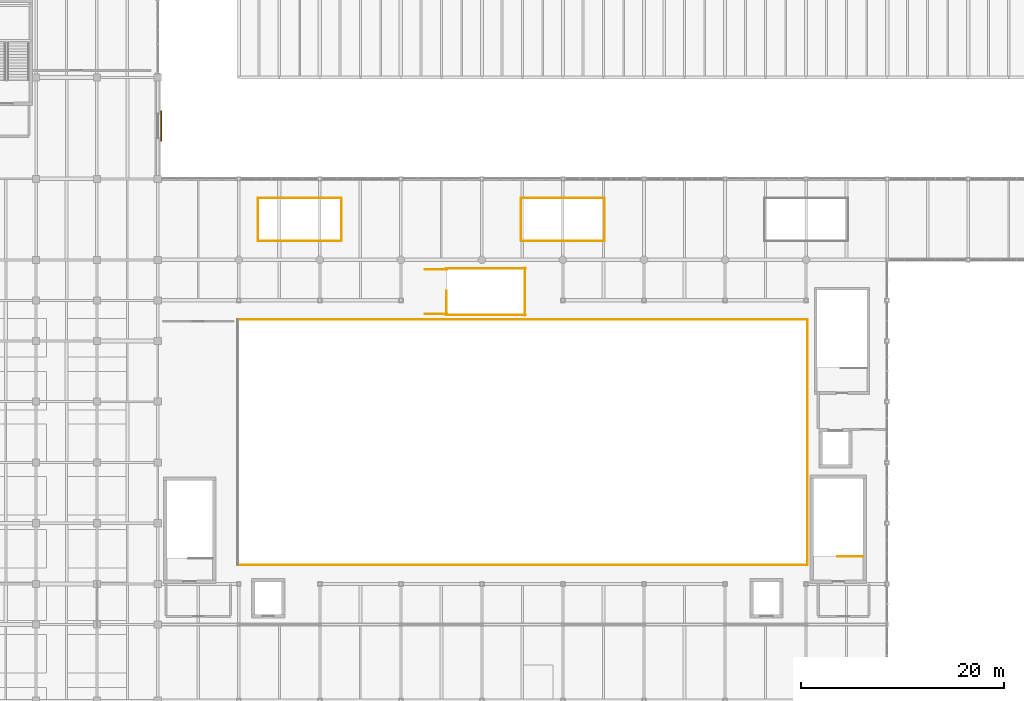
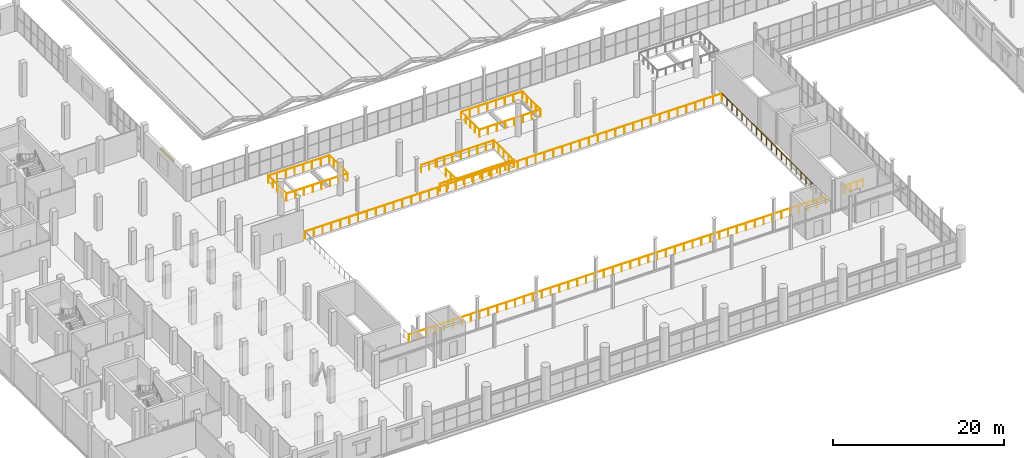
# One storey, part 108 of 114: 18 railings, 1 shading device.
"""IFC4 building model written with IfcOpenShell, lengths in metres."""

from ifc_helpers import new_model, si_unit, direction, frame, origin, origin_2d, place, context, subcontext, project, spatial, rectangle, circle, extrude, material, type_object, element, save


model = new_model("IFC4")

# Units and contexts
model_context = context("Model", 3, precision=1e-05, world=origin(), true_north=direction((0.0, 1.0)))
body_context = subcontext(model_context, "Body", "Model", "MODEL_VIEW")
ifc_project = project(units=[si_unit("LENGTHUNIT", "METRE"), si_unit("AREAUNIT", "SQUARE_METRE"), si_unit("VOLUMEUNIT", "CUBIC_METRE"), si_unit("PLANEANGLEUNIT", "RADIAN"), si_unit("MASSUNIT", "GRAM", prefix="KILO")], contexts=[model_context])

# Site, building, storey
site_placement = place(None, origin())
site = spatial("IfcSite", under=ifc_project, at=site_placement, CompositionType="ELEMENT")
building_placement = place(site_placement, origin())
building = spatial("IfcBuilding", under=site, at=building_placement, Name="Verrall Gate Interchange", CompositionType="ELEMENT")
storey_placement = place(building_placement, frame((0.0, 0.0, 6.60009765625)))
storey = spatial("IfcBuildingStorey", under=building, at=storey_placement, Name="L02", CompositionType="ELEMENT", Elevation=6.60009765625)

# Railings
ifc_material_1 = material(Name="Brushed Stainless-Steel Guardrail and Handrail System", Category="steel")
railing_type = type_object("IfcRailingType", Name="GR-02 Interior Atrium and Stair Guardrail 1100", PredefinedType="GUARDRAIL", material=ifc_material_1)
railing_1_placement = place(storey_placement, frame((105.639892578125, 18.699951171875, 0.0)))
element("IfcRailing", 1, at=railing_1_placement, inside=storey, type_object=railing_type, Name="L02 ST-06 top well guard 1", PredefinedType="GUARDRAIL", context=body_context, shape_type="SweptSolid", body=[
    extrude(circle(Radius=0.02392578125, at=origin_2d()), frame((0.0, 0.0, 1.076171875), z_axis=(-1.0, 0.0, 0.0), x_axis=(0.0, -1.0, 0.0)), (0.0, 0.0, 1.0), 2.5498046875),
    extrude(circle(Radius=0.02099609375, at=origin_2d()), origin(), (0.0, 0.0, 1.0), 1.052001953125),
    extrude(circle(Radius=0.02099609375, at=origin_2d()), frame((-0.849853515625, 0.0, 0.0)), (0.0, 0.0, 1.0), 1.052001953125),
    extrude(circle(Radius=0.02099609375, at=origin_2d()), frame((-1.699951171875, 0.0, 0.0)), (0.0, 0.0, 1.0), 1.052001953125),
    extrude(circle(Radius=0.02099609375, at=origin_2d()), frame((-2.5498046875, 0.0, 0.0)), (0.0, 0.0, 1.0), 1.052001953125),
])
railing_2_placement = place(storey_placement, frame((64.5, 42.60009765625, 0.0)))
element("IfcRailing", 2, at=railing_2_placement, inside=storey, type_object=railing_type, Name="L02 ST-12 top well guard 1", PredefinedType="GUARDRAIL", context=body_context, shape_type="SweptSolid", body=[
    extrude(circle(Radius=0.02392578125, at=origin_2d()), frame((0.0, 0.0, 1.076171875), z_axis=(0.0, 1.0, 0.0), x_axis=(-1.0, 0.0, 0.0)), (0.0, 0.0, 1.0), 2.349853515625),
    extrude(circle(Radius=0.02099609375, at=origin_2d()), origin(), (0.0, 0.0, 1.0), 1.052001953125),
    extrude(circle(Radius=0.02099609375, at=origin_2d()), frame((0.0, 1.1748046875, 0.0)), (0.0, 0.0, 1.0), 1.052001953125),
    extrude(circle(Radius=0.02099609375, at=origin_2d()), frame((0.0, 2.349853515625, 0.0)), (0.0, 0.0, 1.0), 1.052001953125),
])
for number, where, name in (
    (3, (64.449951171875, 42.550048828125, 0.0), "L02 ST-12 top well guard 2"),
    (4, (64.449951171875, 47.14990234375, 0.0), "L02 ST-12 top well guard 3"),
):
    element("IfcRailing", number, at=place(storey_placement, frame(where)), inside=storey, type_object=railing_type, Name=name, PredefinedType="GUARDRAIL", context=body_context, shape_type="SweptSolid", body=[
        extrude(circle(Radius=0.02392578125, at=origin_2d()), frame((0.0, 0.0, 1.076171875), z_axis=(1.0, 0.0, 0.0), x_axis=(0.0, 1.0, 0.0)), (0.0, 0.0, 1.0), 7.85009765625),
        extrude(circle(Radius=0.02099609375, at=origin_2d()), origin(), (0.0, 0.0, 1.0), 1.052001953125),
        extrude(circle(Radius=0.02099609375, at=origin_2d()), frame((1.121337890625, 0.0, 0.0)), (0.0, 0.0, 1.0), 1.052001953125),
        extrude(circle(Radius=0.02099609375, at=origin_2d()), frame((2.242919921875, 0.0, 0.0)), (0.0, 0.0, 1.0), 1.052001953125),
        extrude(circle(Radius=0.02099609375, at=origin_2d()), frame((3.3642578125, 0.0, 0.0)), (0.0, 0.0, 1.0), 1.052001953125),
        extrude(circle(Radius=0.02099609375, at=origin_2d()), frame((4.48583984375, 0.0, 0.0)), (0.0, 0.0, 1.0), 1.052001953125),
        extrude(circle(Radius=0.02099609375, at=origin_2d()), frame((5.607177734375, 0.0, 0.0)), (0.0, 0.0, 1.0), 1.052001953125),
        extrude(circle(Radius=0.02099609375, at=origin_2d()), frame((6.728759765625, 0.0, 0.0)), (0.0, 0.0, 1.0), 1.052001953125),
        extrude(circle(Radius=0.02099609375, at=origin_2d()), frame((7.85009765625, 0.0, 0.0)), (0.0, 0.0, 1.0), 1.052001953125),
    ])
railing_3_placement = place(storey_placement, frame((72.25, 42.5, 0.0)))
element("IfcRailing", 5, at=railing_3_placement, inside=storey, type_object=railing_type, Name="L02 ST-12 top well guard 4", PredefinedType="GUARDRAIL", context=body_context, shape_type="SweptSolid", body=[
    extrude(circle(Radius=0.02392578125, at=origin_2d()), frame((0.0, 0.0, 1.076171875), z_axis=(0.0, 1.0, 0.0), x_axis=(-1.0, 0.0, 0.0)), (0.0, 0.0, 1.0), 4.699951171875),
    extrude(circle(Radius=0.02099609375, at=origin_2d()), origin(), (0.0, 0.0, 1.0), 1.052001953125),
    extrude(circle(Radius=0.02099609375, at=origin_2d()), frame((0.0, 1.175048828125, 0.0)), (0.0, 0.0, 1.0), 1.052001953125),
    extrude(circle(Radius=0.02099609375, at=origin_2d()), frame((0.0, 2.35009765625, 0.0)), (0.0, 0.0, 1.0), 1.052001953125),
    extrude(circle(Radius=0.02099609375, at=origin_2d()), frame((0.0, 3.52490234375, 0.0)), (0.0, 0.0, 1.0), 1.052001953125),
    extrude(circle(Radius=0.02099609375, at=origin_2d()), frame((0.0, 4.699951171875, 0.0)), (0.0, 0.0, 1.0), 1.052001953125),
])
for number, where, name in (
    (6, (62.39990234375, 42.64990234375, 0.0), "L02 ST-12 top well guard 5"),
    (7, (62.39990234375, 47.050048828125, 0.0), "L02 ST-12 top well guard 6"),
):
    element("IfcRailing", number, at=place(storey_placement, frame(where)), inside=storey, type_object=railing_type, Name=name, PredefinedType="GUARDRAIL", context=body_context, shape_type="SweptSolid", body=[
        extrude(circle(Radius=0.02392578125, at=origin_2d()), frame((0.0, 0.0, 1.076171875), z_axis=(1.0, 0.0, 0.0), x_axis=(0.0, 1.0, 0.0)), (0.0, 0.0, 1.0), 2.150146484375),
        extrude(circle(Radius=0.02099609375, at=origin_2d()), origin(), (0.0, 0.0, 1.0), 1.052001953125),
        extrude(circle(Radius=0.02099609375, at=origin_2d()), frame((1.0751953125, 0.0, 0.0)), (0.0, 0.0, 1.0), 1.052001953125),
        extrude(circle(Radius=0.02099609375, at=origin_2d()), frame((2.150146484375, 0.0, 0.0)), (0.0, 0.0, 1.0), 1.052001953125),
    ])
railing_4_placement = place(storey_placement, frame((43.8798828125, 17.8798828125, 0.0)))
element("IfcRailing", 8, at=railing_4_placement, inside=storey, type_object=railing_type, Name="L02 V1-VOID Perimeter Guardrail 01", PredefinedType="GUARDRAIL", context=body_context, shape_type="SweptSolid", body=[
    extrude(circle(Radius=0.02392578125, at=origin_2d()), frame((0.0, 0.0, 1.076171875), z_axis=(1.0, 0.0, 0.0), x_axis=(0.0, 1.0, 0.0)), (0.0, 0.0, 1.0), 56.240234375),
    extrude(circle(Radius=0.02099609375, at=origin_2d()), origin(), (0.0, 0.0, 1.0), 1.052001953125),
    extrude(circle(Radius=0.02099609375, at=origin_2d()), frame((1.196533203125, 0.0, 0.0)), (0.0, 0.0, 1.0), 1.052001953125),
    extrude(circle(Radius=0.02099609375, at=origin_2d()), frame((2.393310546875, 0.0, 0.0)), (0.0, 0.0, 1.0), 1.052001953125),
    extrude(circle(Radius=0.02099609375, at=origin_2d()), frame((3.58984375, 0.0, 0.0)), (0.0, 0.0, 1.0), 1.052001953125),
    extrude(circle(Radius=0.02099609375, at=origin_2d()), frame((4.786376953125, 0.0, 0.0)), (0.0, 0.0, 1.0), 1.052001953125),
    extrude(circle(Radius=0.02099609375, at=origin_2d()), frame((5.98291015625, 0.0, 0.0)), (0.0, 0.0, 1.0), 1.052001953125),
    extrude(circle(Radius=0.02099609375, at=origin_2d()), frame((7.1796875, 0.0, 0.0)), (0.0, 0.0, 1.0), 1.052001953125),
    extrude(circle(Radius=0.02099609375, at=origin_2d()), frame((8.376220703125, 0.0, 0.0)), (0.0, 0.0, 1.0), 1.052001953125),
    extrude(circle(Radius=0.02099609375, at=origin_2d()), frame((9.57275390625, 0.0, 0.0)), (0.0, 0.0, 1.0), 1.052001953125),
    extrude(circle(Radius=0.02099609375, at=origin_2d()), frame((10.769287109375, 0.0, 0.0)), (0.0, 0.0, 1.0), 1.052001953125),
    extrude(circle(Radius=0.02099609375, at=origin_2d()), frame((11.966064453125, 0.0, 0.0)), (0.0, 0.0, 1.0), 1.052001953125),
    extrude(circle(Radius=0.02099609375, at=origin_2d()), frame((13.16259765625, 0.0, 0.0)), (0.0, 0.0, 1.0), 1.052001953125),
    extrude(circle(Radius=0.02099609375, at=origin_2d()), frame((14.359130859375, 0.0, 0.0)), (0.0, 0.0, 1.0), 1.052001953125),
    extrude(circle(Radius=0.02099609375, at=origin_2d()), frame((15.555908203125, 0.0, 0.0)), (0.0, 0.0, 1.0), 1.052001953125),
    extrude(circle(Radius=0.02099609375, at=origin_2d()), frame((16.75244140625, 0.0, 0.0)), (0.0, 0.0, 1.0), 1.052001953125),
    extrude(circle(Radius=0.02099609375, at=origin_2d()), frame((17.948974609375, 0.0, 0.0)), (0.0, 0.0, 1.0), 1.052001953125),
    extrude(circle(Radius=0.02099609375, at=origin_2d()), frame((19.1455078125, 0.0, 0.0)), (0.0, 0.0, 1.0), 1.052001953125),
    extrude(circle(Radius=0.02099609375, at=origin_2d()), frame((20.34228515625, 0.0, 0.0)), (0.0, 0.0, 1.0), 1.052001953125),
    extrude(circle(Radius=0.02099609375, at=origin_2d()), frame((21.538818359375, 0.0, 0.0)), (0.0, 0.0, 1.0), 1.052001953125),
    extrude(circle(Radius=0.02099609375, at=origin_2d()), frame((22.7353515625, 0.0, 0.0)), (0.0, 0.0, 1.0), 1.052001953125),
    extrude(circle(Radius=0.02099609375, at=origin_2d()), frame((23.93212890625, 0.0, 0.0)), (0.0, 0.0, 1.0), 1.052001953125),
    extrude(circle(Radius=0.02099609375, at=origin_2d()), frame((25.128662109375, 0.0, 0.0)), (0.0, 0.0, 1.0), 1.052001953125),
    extrude(circle(Radius=0.02099609375, at=origin_2d()), frame((26.3251953125, 0.0, 0.0)), (0.0, 0.0, 1.0), 1.052001953125),
    extrude(circle(Radius=0.02099609375, at=origin_2d()), frame((27.521728515625, 0.0, 0.0)), (0.0, 0.0, 1.0), 1.052001953125),
    extrude(circle(Radius=0.02099609375, at=origin_2d()), frame((28.718505859375, 0.0, 0.0)), (0.0, 0.0, 1.0), 1.052001953125),
    extrude(circle(Radius=0.02099609375, at=origin_2d()), frame((29.9150390625, 0.0, 0.0)), (0.0, 0.0, 1.0), 1.052001953125),
    extrude(circle(Radius=0.02099609375, at=origin_2d()), frame((31.111572265625, 0.0, 0.0)), (0.0, 0.0, 1.0), 1.052001953125),
    extrude(circle(Radius=0.02099609375, at=origin_2d()), frame((32.30810546875, 0.0, 0.0)), (0.0, 0.0, 1.0), 1.052001953125),
    extrude(circle(Radius=0.02099609375, at=origin_2d()), frame((33.5048828125, 0.0, 0.0)), (0.0, 0.0, 1.0), 1.052001953125),
    extrude(circle(Radius=0.02099609375, at=origin_2d()), frame((34.701416015625, 0.0, 0.0)), (0.0, 0.0, 1.0), 1.052001953125),
    extrude(circle(Radius=0.02099609375, at=origin_2d()), frame((35.89794921875, 0.0, 0.0)), (0.0, 0.0, 1.0), 1.052001953125),
    extrude(circle(Radius=0.02099609375, at=origin_2d()), frame((37.0947265625, 0.0, 0.0)), (0.0, 0.0, 1.0), 1.052001953125),
    extrude(circle(Radius=0.02099609375, at=origin_2d()), frame((38.291259765625, 0.0, 0.0)), (0.0, 0.0, 1.0), 1.052001953125),
    extrude(circle(Radius=0.02099609375, at=origin_2d()), frame((39.48779296875, 0.0, 0.0)), (0.0, 0.0, 1.0), 1.052001953125),
    extrude(circle(Radius=0.02099609375, at=origin_2d()), frame((40.684326171875, 0.0, 0.0)), (0.0, 0.0, 1.0), 1.052001953125),
    extrude(circle(Radius=0.02099609375, at=origin_2d()), frame((41.881103515625, 0.0, 0.0)), (0.0, 0.0, 1.0), 1.052001953125),
    extrude(circle(Radius=0.02099609375, at=origin_2d()), frame((43.07763671875, 0.0, 0.0)), (0.0, 0.0, 1.0), 1.052001953125),
    extrude(circle(Radius=0.02099609375, at=origin_2d()), frame((44.274169921875, 0.0, 0.0)), (0.0, 0.0, 1.0), 1.052001953125),
    extrude(circle(Radius=0.02099609375, at=origin_2d()), frame((45.470947265625, 0.0, 0.0)), (0.0, 0.0, 1.0), 1.052001953125),
    extrude(circle(Radius=0.02099609375, at=origin_2d()), frame((46.66748046875, 0.0, 0.0)), (0.0, 0.0, 1.0), 1.052001953125),
    extrude(circle(Radius=0.02099609375, at=origin_2d()), frame((47.864013671875, 0.0, 0.0)), (0.0, 0.0, 1.0), 1.052001953125),
    extrude(circle(Radius=0.02099609375, at=origin_2d()), frame((49.060546875, 0.0, 0.0)), (0.0, 0.0, 1.0), 1.052001953125),
    extrude(circle(Radius=0.02099609375, at=origin_2d()), frame((50.25732421875, 0.0, 0.0)), (0.0, 0.0, 1.0), 1.052001953125),
    extrude(circle(Radius=0.02099609375, at=origin_2d()), frame((51.453857421875, 0.0, 0.0)), (0.0, 0.0, 1.0), 1.052001953125),
    extrude(circle(Radius=0.02099609375, at=origin_2d()), frame((52.650390625, 0.0, 0.0)), (0.0, 0.0, 1.0), 1.052001953125),
    extrude(circle(Radius=0.02099609375, at=origin_2d()), frame((53.846923828125, 0.0, 0.0)), (0.0, 0.0, 1.0), 1.052001953125),
    extrude(circle(Radius=0.02099609375, at=origin_2d()), frame((55.043701171875, 0.0, 0.0)), (0.0, 0.0, 1.0), 1.052001953125),
    extrude(circle(Radius=0.02099609375, at=origin_2d()), frame((56.240234375, 0.0, 0.0)), (0.0, 0.0, 1.0), 1.052001953125),
])
railing_5_placement = place(storey_placement, frame((100.1201171875, 17.8798828125, 0.0)))
element("IfcRailing", 9, at=railing_5_placement, inside=storey, type_object=railing_type, Name="L02 V1-VOID Perimeter Guardrail 02", PredefinedType="GUARDRAIL", context=body_context, shape_type="SweptSolid", body=[
    extrude(circle(Radius=0.02392578125, at=origin_2d()), frame((0.0, 0.0, 1.076171875), z_axis=(0.0, 1.0, 0.0), x_axis=(-1.0, 0.0, 0.0)), (0.0, 0.0, 1.0), 24.240234375),
    extrude(circle(Radius=0.02099609375, at=origin_2d()), origin(), (0.0, 0.0, 1.0), 1.052001953125),
    extrude(circle(Radius=0.02099609375, at=origin_2d()), frame((0.0, 1.154296875, 0.0)), (0.0, 0.0, 1.0), 1.052001953125),
    extrude(circle(Radius=0.02099609375, at=origin_2d()), frame((0.0, 2.30859375, 0.0)), (0.0, 0.0, 1.0), 1.052001953125),
    extrude(circle(Radius=0.02099609375, at=origin_2d()), frame((0.0, 3.462890625, 0.0)), (0.0, 0.0, 1.0), 1.052001953125),
    extrude(circle(Radius=0.02099609375, at=origin_2d()), frame((0.0, 4.6171875, 0.0)), (0.0, 0.0, 1.0), 1.052001953125),
    extrude(circle(Radius=0.02099609375, at=origin_2d()), frame((0.0, 5.771484375, 0.0)), (0.0, 0.0, 1.0), 1.052001953125),
    extrude(circle(Radius=0.02099609375, at=origin_2d()), frame((0.0, 6.92578125, 0.0)), (0.0, 0.0, 1.0), 1.052001953125),
    extrude(circle(Radius=0.02099609375, at=origin_2d()), frame((0.0, 8.080078125, 0.0)), (0.0, 0.0, 1.0), 1.052001953125),
    extrude(circle(Radius=0.02099609375, at=origin_2d()), frame((0.0, 9.234375, 0.0)), (0.0, 0.0, 1.0), 1.052001953125),
    extrude(circle(Radius=0.02099609375, at=origin_2d()), frame((0.0, 10.388671875, 0.0)), (0.0, 0.0, 1.0), 1.052001953125),
    extrude(circle(Radius=0.02099609375, at=origin_2d()), frame((0.0, 11.54296875, 0.0)), (0.0, 0.0, 1.0), 1.052001953125),
    extrude(circle(Radius=0.02099609375, at=origin_2d()), frame((0.0, 12.697265625, 0.0)), (0.0, 0.0, 1.0), 1.052001953125),
    extrude(circle(Radius=0.02099609375, at=origin_2d()), frame((0.0, 13.8515625, 0.0)), (0.0, 0.0, 1.0), 1.052001953125),
    extrude(circle(Radius=0.02099609375, at=origin_2d()), frame((0.0, 15.005859375, 0.0)), (0.0, 0.0, 1.0), 1.052001953125),
    extrude(circle(Radius=0.02099609375, at=origin_2d()), frame((0.0, 16.16015625, 0.0)), (0.0, 0.0, 1.0), 1.052001953125),
    extrude(circle(Radius=0.02099609375, at=origin_2d()), frame((0.0, 17.314453125, 0.0)), (0.0, 0.0, 1.0), 1.052001953125),
    extrude(circle(Radius=0.02099609375, at=origin_2d()), frame((0.0, 18.46875, 0.0)), (0.0, 0.0, 1.0), 1.052001953125),
    extrude(circle(Radius=0.02099609375, at=origin_2d()), frame((0.0, 19.623046875, 0.0)), (0.0, 0.0, 1.0), 1.052001953125),
    extrude(circle(Radius=0.02099609375, at=origin_2d()), frame((0.0, 20.77734375, 0.0)), (0.0, 0.0, 1.0), 1.052001953125),
    extrude(circle(Radius=0.02099609375, at=origin_2d()), frame((0.0, 21.931640625, 0.0)), (0.0, 0.0, 1.0), 1.052001953125),
    extrude(circle(Radius=0.02099609375, at=origin_2d()), frame((0.0, 23.0859375, 0.0)), (0.0, 0.0, 1.0), 1.052001953125),
    extrude(circle(Radius=0.02099609375, at=origin_2d()), frame((0.0, 24.240234375, 0.0)), (0.0, 0.0, 1.0), 1.052001953125),
])
railing_6_placement = place(storey_placement, frame((100.1201171875, 42.1201171875, 0.0)))
element("IfcRailing", 10, at=railing_6_placement, inside=storey, type_object=railing_type, Name="L02 V1-VOID Perimeter Guardrail 03", PredefinedType="GUARDRAIL", context=body_context, shape_type="SweptSolid", body=[
    extrude(circle(Radius=0.02392578125, at=origin_2d()), frame((0.0, 0.0, 1.076171875), z_axis=(-1.0, 0.0, 0.0), x_axis=(0.0, -1.0, 0.0)), (0.0, 0.0, 1.0), 56.240234375),
    extrude(circle(Radius=0.02099609375, at=origin_2d()), origin(), (0.0, 0.0, 1.0), 1.052001953125),
    extrude(circle(Radius=0.02099609375, at=origin_2d()), frame((-1.196533203125, 0.0, 0.0)), (0.0, 0.0, 1.0), 1.052001953125),
    extrude(circle(Radius=0.02099609375, at=origin_2d()), frame((-2.393310546875, 0.0, 0.0)), (0.0, 0.0, 1.0), 1.052001953125),
    extrude(circle(Radius=0.02099609375, at=origin_2d()), frame((-3.58984375, 0.0, 0.0)), (0.0, 0.0, 1.0), 1.052001953125),
    extrude(circle(Radius=0.02099609375, at=origin_2d()), frame((-4.786376953125, 0.0, 0.0)), (0.0, 0.0, 1.0), 1.052001953125),
    extrude(circle(Radius=0.02099609375, at=origin_2d()), frame((-5.98291015625, 0.0, 0.0)), (0.0, 0.0, 1.0), 1.052001953125),
    extrude(circle(Radius=0.02099609375, at=origin_2d()), frame((-7.1796875, 0.0, 0.0)), (0.0, 0.0, 1.0), 1.052001953125),
    extrude(circle(Radius=0.02099609375, at=origin_2d()), frame((-8.376220703125, 0.0, 0.0)), (0.0, 0.0, 1.0), 1.052001953125),
    extrude(circle(Radius=0.02099609375, at=origin_2d()), frame((-9.57275390625, 0.0, 0.0)), (0.0, 0.0, 1.0), 1.052001953125),
    extrude(circle(Radius=0.02099609375, at=origin_2d()), frame((-10.769287109375, 0.0, 0.0)), (0.0, 0.0, 1.0), 1.052001953125),
    extrude(circle(Radius=0.02099609375, at=origin_2d()), frame((-11.966064453125, 0.0, 0.0)), (0.0, 0.0, 1.0), 1.052001953125),
    extrude(circle(Radius=0.02099609375, at=origin_2d()), frame((-13.16259765625, 0.0, 0.0)), (0.0, 0.0, 1.0), 1.052001953125),
    extrude(circle(Radius=0.02099609375, at=origin_2d()), frame((-14.359130859375, 0.0, 0.0)), (0.0, 0.0, 1.0), 1.052001953125),
    extrude(circle(Radius=0.02099609375, at=origin_2d()), frame((-15.555908203125, 0.0, 0.0)), (0.0, 0.0, 1.0), 1.052001953125),
    extrude(circle(Radius=0.02099609375, at=origin_2d()), frame((-16.75244140625, 0.0, 0.0)), (0.0, 0.0, 1.0), 1.052001953125),
    extrude(circle(Radius=0.02099609375, at=origin_2d()), frame((-17.948974609375, 0.0, 0.0)), (0.0, 0.0, 1.0), 1.052001953125),
    extrude(circle(Radius=0.02099609375, at=origin_2d()), frame((-19.1455078125, 0.0, 0.0)), (0.0, 0.0, 1.0), 1.052001953125),
    extrude(circle(Radius=0.02099609375, at=origin_2d()), frame((-20.34228515625, 0.0, 0.0)), (0.0, 0.0, 1.0), 1.052001953125),
    extrude(circle(Radius=0.02099609375, at=origin_2d()), frame((-21.538818359375, 0.0, 0.0)), (0.0, 0.0, 1.0), 1.052001953125),
    extrude(circle(Radius=0.02099609375, at=origin_2d()), frame((-22.7353515625, 0.0, 0.0)), (0.0, 0.0, 1.0), 1.052001953125),
    extrude(circle(Radius=0.02099609375, at=origin_2d()), frame((-23.93212890625, 0.0, 0.0)), (0.0, 0.0, 1.0), 1.052001953125),
    extrude(circle(Radius=0.02099609375, at=origin_2d()), frame((-25.128662109375, 0.0, 0.0)), (0.0, 0.0, 1.0), 1.052001953125),
    extrude(circle(Radius=0.02099609375, at=origin_2d()), frame((-26.3251953125, 0.0, 0.0)), (0.0, 0.0, 1.0), 1.052001953125),
    extrude(circle(Radius=0.02099609375, at=origin_2d()), frame((-27.521728515625, 0.0, 0.0)), (0.0, 0.0, 1.0), 1.052001953125),
    extrude(circle(Radius=0.02099609375, at=origin_2d()), frame((-28.718505859375, 0.0, 0.0)), (0.0, 0.0, 1.0), 1.052001953125),
    extrude(circle(Radius=0.02099609375, at=origin_2d()), frame((-29.9150390625, 0.0, 0.0)), (0.0, 0.0, 1.0), 1.052001953125),
    extrude(circle(Radius=0.02099609375, at=origin_2d()), frame((-31.111572265625, 0.0, 0.0)), (0.0, 0.0, 1.0), 1.052001953125),
    extrude(circle(Radius=0.02099609375, at=origin_2d()), frame((-32.30810546875, 0.0, 0.0)), (0.0, 0.0, 1.0), 1.052001953125),
    extrude(circle(Radius=0.02099609375, at=origin_2d()), frame((-33.5048828125, 0.0, 0.0)), (0.0, 0.0, 1.0), 1.052001953125),
    extrude(circle(Radius=0.02099609375, at=origin_2d()), frame((-34.701416015625, 0.0, 0.0)), (0.0, 0.0, 1.0), 1.052001953125),
    extrude(circle(Radius=0.02099609375, at=origin_2d()), frame((-35.89794921875, 0.0, 0.0)), (0.0, 0.0, 1.0), 1.052001953125),
    extrude(circle(Radius=0.02099609375, at=origin_2d()), frame((-37.0947265625, 0.0, 0.0)), (0.0, 0.0, 1.0), 1.052001953125),
    extrude(circle(Radius=0.02099609375, at=origin_2d()), frame((-38.291259765625, 0.0, 0.0)), (0.0, 0.0, 1.0), 1.052001953125),
    extrude(circle(Radius=0.02099609375, at=origin_2d()), frame((-39.48779296875, 0.0, 0.0)), (0.0, 0.0, 1.0), 1.052001953125),
    extrude(circle(Radius=0.02099609375, at=origin_2d()), frame((-40.684326171875, 0.0, 0.0)), (0.0, 0.0, 1.0), 1.052001953125),
    extrude(circle(Radius=0.02099609375, at=origin_2d()), frame((-41.881103515625, 0.0, 0.0)), (0.0, 0.0, 1.0), 1.052001953125),
    extrude(circle(Radius=0.02099609375, at=origin_2d()), frame((-43.07763671875, 0.0, 0.0)), (0.0, 0.0, 1.0), 1.052001953125),
    extrude(circle(Radius=0.02099609375, at=origin_2d()), frame((-44.274169921875, 0.0, 0.0)), (0.0, 0.0, 1.0), 1.052001953125),
    extrude(circle(Radius=0.02099609375, at=origin_2d()), frame((-45.470947265625, 0.0, 0.0)), (0.0, 0.0, 1.0), 1.052001953125),
    extrude(circle(Radius=0.02099609375, at=origin_2d()), frame((-46.66748046875, 0.0, 0.0)), (0.0, 0.0, 1.0), 1.052001953125),
    extrude(circle(Radius=0.02099609375, at=origin_2d()), frame((-47.864013671875, 0.0, 0.0)), (0.0, 0.0, 1.0), 1.052001953125),
    extrude(circle(Radius=0.02099609375, at=origin_2d()), frame((-49.060546875, 0.0, 0.0)), (0.0, 0.0, 1.0), 1.052001953125),
    extrude(circle(Radius=0.02099609375, at=origin_2d()), frame((-50.25732421875, 0.0, 0.0)), (0.0, 0.0, 1.0), 1.052001953125),
    extrude(circle(Radius=0.02099609375, at=origin_2d()), frame((-51.453857421875, 0.0, 0.0)), (0.0, 0.0, 1.0), 1.052001953125),
    extrude(circle(Radius=0.02099609375, at=origin_2d()), frame((-52.650390625, 0.0, 0.0)), (0.0, 0.0, 1.0), 1.052001953125),
    extrude(circle(Radius=0.02099609375, at=origin_2d()), frame((-53.846923828125, 0.0, 0.0)), (0.0, 0.0, 1.0), 1.052001953125),
    extrude(circle(Radius=0.02099609375, at=origin_2d()), frame((-55.043701171875, 0.0, 0.0)), (0.0, 0.0, 1.0), 1.052001953125),
    extrude(circle(Radius=0.02099609375, at=origin_2d()), frame((-56.240234375, 0.0, 0.0)), (0.0, 0.0, 1.0), 1.052001953125),
])
railing_7_placement = place(storey_placement, frame((45.8798828125, 49.8798828125, 0.0)))
element("IfcRailing", 11, at=railing_7_placement, inside=storey, type_object=railing_type, Name="L02 ATRIUM-1 Perimeter Guardrail 05", PredefinedType="GUARDRAIL", context=body_context, shape_type="SweptSolid", body=[
    extrude(circle(Radius=0.02392578125, at=origin_2d()), frame((0.0, 0.0, 1.076171875), z_axis=(1.0, 0.0, 0.0), x_axis=(0.0, 1.0, 0.0)), (0.0, 0.0, 1.0), 8.240234375),
    extrude(circle(Radius=0.02099609375, at=origin_2d()), origin(), (0.0, 0.0, 1.0), 1.052001953125),
    extrude(circle(Radius=0.02099609375, at=origin_2d()), frame((1.17724609375, 0.0, 0.0)), (0.0, 0.0, 1.0), 1.052001953125),
    extrude(circle(Radius=0.02099609375, at=origin_2d()), frame((2.354248046875, 0.0, 0.0)), (0.0, 0.0, 1.0), 1.052001953125),
    extrude(circle(Radius=0.02099609375, at=origin_2d()), frame((3.531494140625, 0.0, 0.0)), (0.0, 0.0, 1.0), 1.052001953125),
    extrude(circle(Radius=0.02099609375, at=origin_2d()), frame((4.708740234375, 0.0, 0.0)), (0.0, 0.0, 1.0), 1.052001953125),
    extrude(circle(Radius=0.02099609375, at=origin_2d()), frame((5.885986328125, 0.0, 0.0)), (0.0, 0.0, 1.0), 1.052001953125),
    extrude(circle(Radius=0.02099609375, at=origin_2d()), frame((7.06298828125, 0.0, 0.0)), (0.0, 0.0, 1.0), 1.052001953125),
    extrude(circle(Radius=0.02099609375, at=origin_2d()), frame((8.240234375, 0.0, 0.0)), (0.0, 0.0, 1.0), 1.052001953125),
])
railing_8_placement = place(storey_placement, frame((54.1201171875, 49.8798828125, 0.0)))
element("IfcRailing", 12, at=railing_8_placement, inside=storey, type_object=railing_type, Name="L02 ATRIUM-1 Perimeter Guardrail 06", PredefinedType="GUARDRAIL", context=body_context, shape_type="SweptSolid", body=[
    extrude(circle(Radius=0.02392578125, at=origin_2d()), frame((0.0, 0.0, 1.076171875), z_axis=(0.0, 1.0, 0.0), x_axis=(-1.0, 0.0, 0.0)), (0.0, 0.0, 1.0), 4.240234375),
    extrude(circle(Radius=0.02099609375, at=origin_2d()), origin(), (0.0, 0.0, 1.0), 1.052001953125),
    extrude(circle(Radius=0.02099609375, at=origin_2d()), frame((0.0, 1.06005859375, 0.0)), (0.0, 0.0, 1.0), 1.052001953125),
    extrude(circle(Radius=0.02099609375, at=origin_2d()), frame((0.0, 2.1201171875, 0.0)), (0.0, 0.0, 1.0), 1.052001953125),
    extrude(circle(Radius=0.02099609375, at=origin_2d()), frame((0.0, 3.18017578125, 0.0)), (0.0, 0.0, 1.0), 1.052001953125),
    extrude(circle(Radius=0.02099609375, at=origin_2d()), frame((0.0, 4.240234375, 0.0)), (0.0, 0.0, 1.0), 1.052001953125),
])
railing_9_placement = place(storey_placement, frame((54.1201171875, 54.1201171875, 0.0)))
element("IfcRailing", 13, at=railing_9_placement, inside=storey, type_object=railing_type, Name="L02 ATRIUM-1 Perimeter Guardrail 07", PredefinedType="GUARDRAIL", context=body_context, shape_type="SweptSolid", body=[
    extrude(circle(Radius=0.02392578125, at=origin_2d()), frame((0.0, 0.0, 1.076171875), z_axis=(-1.0, 0.0, 0.0), x_axis=(0.0, -1.0, 0.0)), (0.0, 0.0, 1.0), 8.240234375),
    extrude(circle(Radius=0.02099609375, at=origin_2d()), origin(), (0.0, 0.0, 1.0), 1.052001953125),
    extrude(circle(Radius=0.02099609375, at=origin_2d()), frame((-1.17724609375, 0.0, 0.0)), (0.0, 0.0, 1.0), 1.052001953125),
    extrude(circle(Radius=0.02099609375, at=origin_2d()), frame((-2.354248046875, 0.0, 0.0)), (0.0, 0.0, 1.0), 1.052001953125),
    extrude(circle(Radius=0.02099609375, at=origin_2d()), frame((-3.531494140625, 0.0, 0.0)), (0.0, 0.0, 1.0), 1.052001953125),
    extrude(circle(Radius=0.02099609375, at=origin_2d()), frame((-4.708740234375, 0.0, 0.0)), (0.0, 0.0, 1.0), 1.052001953125),
    extrude(circle(Radius=0.02099609375, at=origin_2d()), frame((-5.885986328125, 0.0, 0.0)), (0.0, 0.0, 1.0), 1.052001953125),
    extrude(circle(Radius=0.02099609375, at=origin_2d()), frame((-7.06298828125, 0.0, 0.0)), (0.0, 0.0, 1.0), 1.052001953125),
    extrude(circle(Radius=0.02099609375, at=origin_2d()), frame((-8.240234375, 0.0, 0.0)), (0.0, 0.0, 1.0), 1.052001953125),
])
railing_10_placement = place(storey_placement, frame((45.8798828125, 54.1201171875, 0.0)))
element("IfcRailing", 14, at=railing_10_placement, inside=storey, type_object=railing_type, Name="L02 ATRIUM-1 Perimeter Guardrail 08", PredefinedType="GUARDRAIL", context=body_context, shape_type="SweptSolid", body=[
    extrude(circle(Radius=0.02392578125, at=origin_2d()), frame((0.0, 0.0, 1.076171875), z_axis=(0.0, -1.0, 0.0), x_axis=(1.0, 0.0, 0.0)), (0.0, 0.0, 1.0), 4.240234375),
    extrude(circle(Radius=0.02099609375, at=origin_2d()), origin(), (0.0, 0.0, 1.0), 1.052001953125),
    extrude(circle(Radius=0.02099609375, at=origin_2d()), frame((0.0, -1.06005859375, 0.0)), (0.0, 0.0, 1.0), 1.052001953125),
    extrude(circle(Radius=0.02099609375, at=origin_2d()), frame((0.0, -2.1201171875, 0.0)), (0.0, 0.0, 1.0), 1.052001953125),
    extrude(circle(Radius=0.02099609375, at=origin_2d()), frame((0.0, -3.18017578125, 0.0)), (0.0, 0.0, 1.0), 1.052001953125),
    extrude(circle(Radius=0.02099609375, at=origin_2d()), frame((0.0, -4.240234375, 0.0)), (0.0, 0.0, 1.0), 1.052001953125),
])
railing_11_placement = place(storey_placement, frame((71.8798828125, 49.8798828125, 0.0)))
element("IfcRailing", 15, at=railing_11_placement, inside=storey, type_object=railing_type, Name="L02 ATRIUM-2 Perimeter Guardrail 09", PredefinedType="GUARDRAIL", context=body_context, shape_type="SweptSolid", body=[
    extrude(circle(Radius=0.02392578125, at=origin_2d()), frame((0.0, 0.0, 1.076171875), z_axis=(1.0, 0.0, 0.0), x_axis=(0.0, 1.0, 0.0)), (0.0, 0.0, 1.0), 8.240234375),
    extrude(circle(Radius=0.02099609375, at=origin_2d()), origin(), (0.0, 0.0, 1.0), 1.052001953125),
    extrude(circle(Radius=0.02099609375, at=origin_2d()), frame((1.17724609375, 0.0, 0.0)), (0.0, 0.0, 1.0), 1.052001953125),
    extrude(circle(Radius=0.02099609375, at=origin_2d()), frame((2.354248046875, 0.0, 0.0)), (0.0, 0.0, 1.0), 1.052001953125),
    extrude(circle(Radius=0.02099609375, at=origin_2d()), frame((3.531494140625, 0.0, 0.0)), (0.0, 0.0, 1.0), 1.052001953125),
    extrude(circle(Radius=0.02099609375, at=origin_2d()), frame((4.708740234375, 0.0, 0.0)), (0.0, 0.0, 1.0), 1.052001953125),
    extrude(circle(Radius=0.02099609375, at=origin_2d()), frame((5.885986328125, 0.0, 0.0)), (0.0, 0.0, 1.0), 1.052001953125),
    extrude(circle(Radius=0.02099609375, at=origin_2d()), frame((7.06298828125, 0.0, 0.0)), (0.0, 0.0, 1.0), 1.052001953125),
    extrude(circle(Radius=0.02099609375, at=origin_2d()), frame((8.240234375, 0.0, 0.0)), (0.0, 0.0, 1.0), 1.052001953125),
])
railing_12_placement = place(storey_placement, frame((80.1201171875, 49.8798828125, 0.0)))
element("IfcRailing", 16, at=railing_12_placement, inside=storey, type_object=railing_type, Name="L02 ATRIUM-2 Perimeter Guardrail 10", PredefinedType="GUARDRAIL", context=body_context, shape_type="SweptSolid", body=[
    extrude(circle(Radius=0.02392578125, at=origin_2d()), frame((0.0, 0.0, 1.076171875), z_axis=(0.0, 1.0, 0.0), x_axis=(-1.0, 0.0, 0.0)), (0.0, 0.0, 1.0), 4.240234375),
    extrude(circle(Radius=0.02099609375, at=origin_2d()), origin(), (0.0, 0.0, 1.0), 1.052001953125),
    extrude(circle(Radius=0.02099609375, at=origin_2d()), frame((0.0, 1.06005859375, 0.0)), (0.0, 0.0, 1.0), 1.052001953125),
    extrude(circle(Radius=0.02099609375, at=origin_2d()), frame((0.0, 2.1201171875, 0.0)), (0.0, 0.0, 1.0), 1.052001953125),
    extrude(circle(Radius=0.02099609375, at=origin_2d()), frame((0.0, 3.18017578125, 0.0)), (0.0, 0.0, 1.0), 1.052001953125),
    extrude(circle(Radius=0.02099609375, at=origin_2d()), frame((0.0, 4.240234375, 0.0)), (0.0, 0.0, 1.0), 1.052001953125),
])
railing_13_placement = place(storey_placement, frame((80.1201171875, 54.1201171875, 0.0)))
element("IfcRailing", 17, at=railing_13_placement, inside=storey, type_object=railing_type, Name="L02 ATRIUM-2 Perimeter Guardrail 11", PredefinedType="GUARDRAIL", context=body_context, shape_type="SweptSolid", body=[
    extrude(circle(Radius=0.02392578125, at=origin_2d()), frame((0.0, 0.0, 1.076171875), z_axis=(-1.0, 0.0, 0.0), x_axis=(0.0, -1.0, 0.0)), (0.0, 0.0, 1.0), 8.240234375),
    extrude(circle(Radius=0.02099609375, at=origin_2d()), origin(), (0.0, 0.0, 1.0), 1.052001953125),
    extrude(circle(Radius=0.02099609375, at=origin_2d()), frame((-1.17724609375, 0.0, 0.0)), (0.0, 0.0, 1.0), 1.052001953125),
    extrude(circle(Radius=0.02099609375, at=origin_2d()), frame((-2.354248046875, 0.0, 0.0)), (0.0, 0.0, 1.0), 1.052001953125),
    extrude(circle(Radius=0.02099609375, at=origin_2d()), frame((-3.531494140625, 0.0, 0.0)), (0.0, 0.0, 1.0), 1.052001953125),
    extrude(circle(Radius=0.02099609375, at=origin_2d()), frame((-4.708740234375, 0.0, 0.0)), (0.0, 0.0, 1.0), 1.052001953125),
    extrude(circle(Radius=0.02099609375, at=origin_2d()), frame((-5.885986328125, 0.0, 0.0)), (0.0, 0.0, 1.0), 1.052001953125),
    extrude(circle(Radius=0.02099609375, at=origin_2d()), frame((-7.06298828125, 0.0, 0.0)), (0.0, 0.0, 1.0), 1.052001953125),
    extrude(circle(Radius=0.02099609375, at=origin_2d()), frame((-8.240234375, 0.0, 0.0)), (0.0, 0.0, 1.0), 1.052001953125),
])
railing_14_placement = place(storey_placement, frame((71.8798828125, 54.1201171875, 0.0)))
element("IfcRailing", 18, at=railing_14_placement, inside=storey, type_object=railing_type, Name="L02 ATRIUM-2 Perimeter Guardrail 12", PredefinedType="GUARDRAIL", context=body_context, shape_type="SweptSolid", body=[
    extrude(circle(Radius=0.02392578125, at=origin_2d()), frame((0.0, 0.0, 1.076171875), z_axis=(0.0, -1.0, 0.0), x_axis=(1.0, 0.0, 0.0)), (0.0, 0.0, 1.0), 4.240234375),
    extrude(circle(Radius=0.02099609375, at=origin_2d()), origin(), (0.0, 0.0, 1.0), 1.052001953125),
    extrude(circle(Radius=0.02099609375, at=origin_2d()), frame((0.0, -1.06005859375, 0.0)), (0.0, 0.0, 1.0), 1.052001953125),
    extrude(circle(Radius=0.02099609375, at=origin_2d()), frame((0.0, -2.1201171875, 0.0)), (0.0, 0.0, 1.0), 1.052001953125),
    extrude(circle(Radius=0.02099609375, at=origin_2d()), frame((0.0, -3.18017578125, 0.0)), (0.0, 0.0, 1.0), 1.052001953125),
    extrude(circle(Radius=0.02099609375, at=origin_2d()), frame((0.0, -4.240234375, 0.0)), (0.0, 0.0, 1.0), 1.052001953125),
])

# Shading device
ifc_material_2 = material(Name="Architectural Bronze Anodized Extruded Louvre Assembly", Category="aluminium")
shading_device_type = type_object("IfcShadingDeviceType", Name="LV-02 Architectural Intake Louvre 3000x1400", PredefinedType="JALOUSIE", material=ifc_material_2)
shading_device_placement = place(storey_placement, frame((36.340087890625, 61.2060546875, 2.9599609375), z_axis=(0.0, 0.0, 1.0), x_axis=(0.0, 1.0, 0.0)))
element("IfcShadingDevice", 19, at=shading_device_placement, inside=storey, type_object=shading_device_type, Name="L02 Architectural Bronze Brise-Soleil Louvre 018", PredefinedType="JALOUSIE", context=body_context, shape_type="SweptSolid", body=[
    extrude(rectangle(XDim=3.0, YDim=0.1201171875, at=origin_2d()), origin(), (0.0, 0.0, 1.0), 0.320068359375),
])

save(model, "model.ifc")
